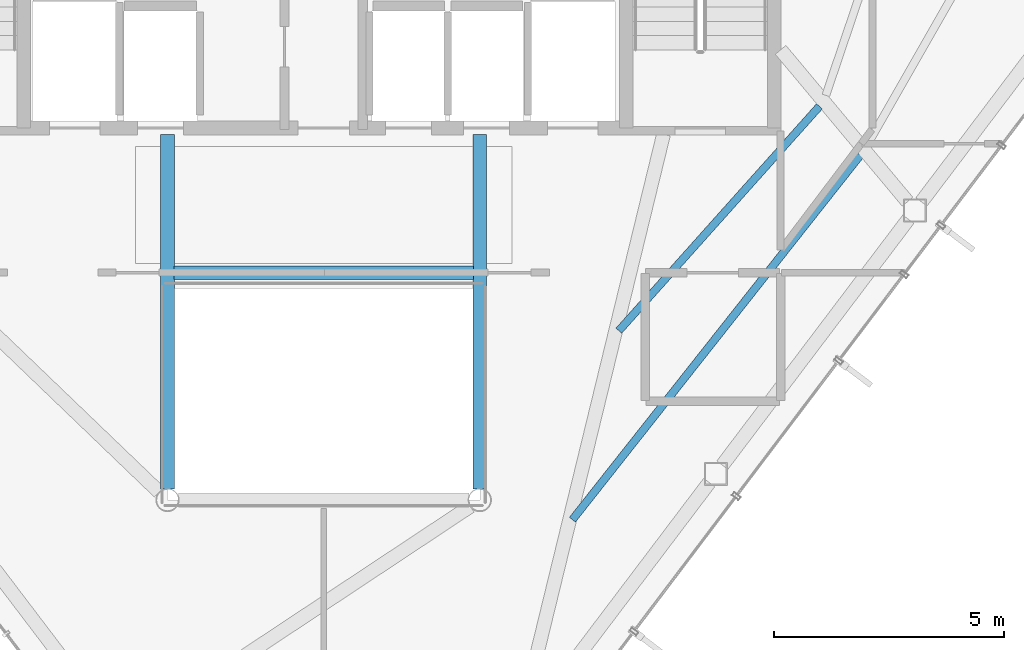
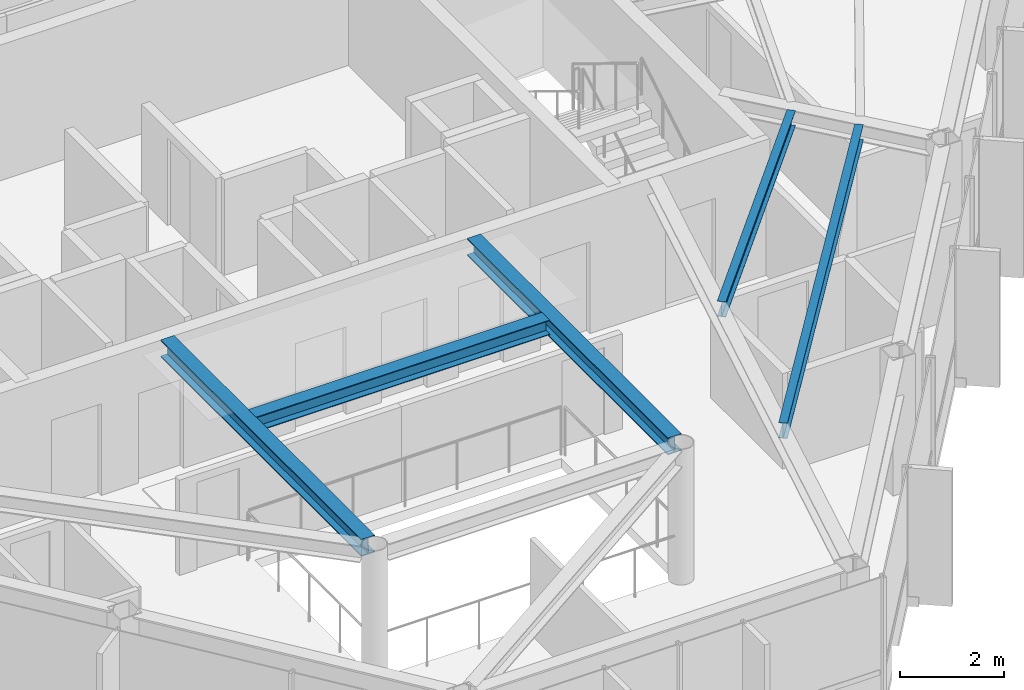
# One storey, part 7 of 24: 5 beams.
"""IFC4 building model written with IfcOpenShell, lengths in metres."""

import ifcopenshell
import ifcopenshell.guid

model = None  # the IFC model being written
_history = None  # IfcOwnerHistory: only IFC2X3 demands one
_inside = {}  # id of a spatial element -> (the spatial element, [elements in it])
_under = {}  # id of a project, library or spatial element -> (it, [spatial elements below it])
_declared = {}  # id of a project -> (the project, [libraries it declares])
_typed = {}  # id of a type object -> (the type object, [elements of that type])
_made_of = {}  # id of a material, layer set ... -> (it, [elements and type objects made of it])


def new_model(schema):
    """Start an empty IFC model of exactly this schema.

    Asked for "IFC4X3", IfcOpenShell would pick the latest addendum, in which some entities
    have other attributes; the version numbers below select the first issue.
    IFC2X3 requires an IfcOwnerHistory on every rooted entity: one is made here for all.
    """
    global model, _history
    if schema == "IFC4X3":
        model = ifcopenshell.file(schema_version=(4, 3, 0, 0))
    else:
        model = ifcopenshell.file(schema=schema)
    _inside.clear()
    _under.clear()
    _declared.clear()
    _typed.clear()
    _made_of.clear()
    _history = None
    if model.schema == "IFC2X3":
        org = make("IfcOrganization", Name="unknown")
        user = make(
            "IfcPersonAndOrganization",
            ThePerson=make("IfcPerson", FamilyName="unknown"),
            TheOrganization=org,
        )
        app = make(
            "IfcApplication",
            ApplicationDeveloper=org,
            Version="unknown",
            ApplicationFullName="unknown",
            ApplicationIdentifier="unknown",
        )
        _history = make(
            "IfcOwnerHistory",
            OwningUser=user,
            OwningApplication=app,
            ChangeAction="ADDED",
            CreationDate=0,
        )
    return model


def make(cls, **values):
    """One entity of the class cls with the attributes given. An attribute that is None is left unset."""
    return model.create_entity(
        cls, **{name: value for name, value in values.items() if value is not None}
    )


def rooted(cls, **values):
    """An entity with a GlobalId (a new one), such as an element, a storey or a relation."""
    return make(cls, GlobalId=ifcopenshell.guid.new(), OwnerHistory=_history, **values)


def si_unit(unit_type, name, prefix=None):
    """IfcSIUnit, for example si_unit("LENGTHUNIT", "METRE", prefix="MILLI")."""
    return make("IfcSIUnit", UnitType=unit_type, Prefix=prefix, Name=name)


def assignment(units):
    """IfcUnitAssignment: the units of a project."""
    return None if units is None else make("IfcUnitAssignment", Units=units)


def point(xyz):
    """IfcCartesianPoint."""
    return None if xyz is None else make("IfcCartesianPoint", Coordinates=xyz)


def direction(xyz):
    """IfcDirection."""
    return None if xyz is None else make("IfcDirection", DirectionRatios=xyz)


def frame(location, z_axis=None, x_axis=None):
    """IfcAxis2Placement3D, a coordinate frame: its origin and axes. An axis left out is left unset."""
    return make(
        "IfcAxis2Placement3D",
        Location=point(location),
        Axis=direction(z_axis),
        RefDirection=direction(x_axis),
    )


def frame_2d(location, x_axis=None):
    """IfcAxis2Placement2D, a coordinate frame in the plane: its origin and x axis."""
    return make(
        "IfcAxis2Placement2D", Location=point(location), RefDirection=direction(x_axis)
    )


def origin():
    """The frame at (0, 0, 0) with its axes left unset."""
    return frame((0.0, 0.0, 0.0))


def origin_2d():
    """The frame at (0, 0) in the plane with its x axis left unset."""
    return frame_2d((0.0, 0.0))


def place(relative_to, where):
    """IfcLocalPlacement: puts the frame where relative to a parent placement (None: the world)."""
    return make(
        "IfcLocalPlacement", PlacementRelTo=relative_to, RelativePlacement=where
    )


def context(
    kind, dimensions, precision=None, world=None, true_north=None, identifier=None
):
    """IfcGeometricRepresentationContext, for example the 3D "Model" context."""
    return make(
        "IfcGeometricRepresentationContext",
        ContextIdentifier=identifier,
        ContextType=kind,
        CoordinateSpaceDimension=dimensions,
        Precision=precision,
        WorldCoordinateSystem=world,
        TrueNorth=true_north,
    )


def subcontext(parent, identifier, kind, view, scale=None):
    """IfcGeometricRepresentationSubContext, for example "Body" below "Model"."""
    return make(
        "IfcGeometricRepresentationSubContext",
        ContextIdentifier=identifier,
        ContextType=kind,
        ParentContext=parent,
        TargetScale=scale,
        TargetView=view,
    )


def project(units=None, contexts=None):
    """IfcProject with its units and contexts."""
    return rooted(
        "IfcProject",
        Name="project",
        RepresentationContexts=contexts,
        UnitsInContext=assignment(units),
    )


def spatial(cls, under=None, at=None, **own):
    """A site, building, storey or space (cls), placed at a placement, below another one or the project."""
    s = rooted(cls, ObjectPlacement=at, **own)
    if under is not None:
        _under.setdefault(under.id(), (under, []))[1].append(s)
    return s


def profile(cls, at=None, kind="AREA", **sizes):
    """A parametric profile (cls). Its sizes go by their IFC names, for example OverallWidth=200.0."""
    return make(cls, ProfileType=kind, Position=at, **sizes)


def i_section(**sizes):
    """IfcIShapeProfileDef."""
    return profile("IfcIShapeProfileDef", **sizes)


def extrude(swept, where, along, depth):
    """IfcExtrudedAreaSolid: the profile swept, set in the frame where, extruded along a direction by depth."""
    return make(
        "IfcExtrudedAreaSolid",
        SweptArea=swept,
        Position=where,
        ExtrudedDirection=direction(along),
        Depth=depth,
    )


def shape(context_of_items, identifier, shape_type, items):
    """IfcShapeRepresentation: the items that make up one representation, for example the "Body"."""
    return make(
        "IfcShapeRepresentation",
        ContextOfItems=context_of_items,
        RepresentationIdentifier=identifier,
        RepresentationType=shape_type,
        Items=items,
    )


def material(Name=None, Category=None):
    """IfcMaterial."""
    return make("IfcMaterial", Name=Name, Category=Category)


def material_profile(
    of_material, cross_section, Name=None, Category=None, Priority=None
):
    """IfcMaterialProfile: a cross section and its material."""
    return make(
        "IfcMaterialProfile",
        Name=Name,
        Material=of_material,
        Profile=cross_section,
        Priority=Priority,
        Category=Category,
    )


def profile_set(profiles, Name=None, composite=None):
    """IfcMaterialProfileSet."""
    return make(
        "IfcMaterialProfileSet",
        Name=Name,
        MaterialProfiles=profiles,
        CompositeProfile=composite,
    )


def made_of(thing, what):
    """Note that an element or type object is made of a material, layer set ...; save() writes the relation."""
    if what is not None:
        _made_of.setdefault(what.id(), (what, []))[1].append(thing)
    return thing


def type_object(cls, material=None, **own):
    """A type object (cls), such as IfcWallType, which elements share."""
    return made_of(rooted(cls, **own), material)


def element(
    cls,
    number,
    at=None,
    inside=None,
    cuts=None,
    type_object=None,
    material=None,
    context=None,
    identifier="Body",
    shape_type=None,
    held_by="IfcProductDefinitionShape",
    body=None,
    shapes=None,
    **own,
):
    """One element of the class cls, such as IfcWall. Its Tag is "e" and its number.

    at: its placement. inside: the storey or other place that contains it. cuts: it is an
    opening in that element (IfcRelVoidsElement). A single representation is given by context,
    identifier, shape_type and body (its items); several are given by shapes. held_by: the class
    of the entity that holds the representations. save() writes the other relations.
    """
    e = rooted(cls, Tag="e%d" % number, ObjectPlacement=at, **own)
    if body is not None:
        shapes = [shape(context, identifier, shape_type, body)]
    if shapes is not None:
        e.Representation = make(held_by, Representations=shapes)
    if inside is not None:
        _inside.setdefault(inside.id(), (inside, []))[1].append(e)
    if cuts is not None:
        rooted(
            "IfcRelVoidsElement", RelatingBuildingElement=cuts, RelatedOpeningElement=e
        )
    if type_object is not None:
        _typed.setdefault(type_object.id(), (type_object, []))[1].append(e)
    return made_of(e, material)


def aggregate(whole, parts):
    """IfcRelAggregates: a whole, such as a stair, and the parts it consists of."""
    return rooted("IfcRelAggregates", RelatingObject=whole, RelatedObjects=parts)


def save(model, path):
    """Write the relations noted so far, then the file.

    IfcRelAggregates (storeys below a building ...), IfcRelContainedInSpatialStructure (elements
    in a storey), IfcRelDefinesByType, IfcRelAssociatesMaterial and IfcRelDeclares: one each for
    every whole, place, type object, material and project.
    """
    for whole, parts in _under.values():
        aggregate(whole, parts)
    for where, things in _inside.values():
        rooted(
            "IfcRelContainedInSpatialStructure",
            RelatedElements=things,
            RelatingStructure=where,
        )
    for kind, things in _typed.values():
        rooted("IfcRelDefinesByType", RelatedObjects=things, RelatingType=kind)
    for what, things in _made_of.values():
        rooted("IfcRelAssociatesMaterial", RelatedObjects=things, RelatingMaterial=what)
    for by, libraries in _declared.values():
        rooted("IfcRelDeclares", RelatingContext=by, RelatedDefinitions=libraries)
    model.write(path)


model = new_model("IFC4")

# Units and contexts
model_context = context("Model", 3, precision=1e-05, world=origin(), true_north=direction((0.0, 1.0)))
body_context = subcontext(model_context, "Body", "Model", "MODEL_VIEW")
ifc_project = project(units=[si_unit("LENGTHUNIT", "METRE"), si_unit("AREAUNIT", "SQUARE_METRE"), si_unit("VOLUMEUNIT", "CUBIC_METRE"), si_unit("PLANEANGLEUNIT", "RADIAN"), si_unit("MASSUNIT", "GRAM", prefix="KILO")], contexts=[model_context])

# Site, building, storey
site_placement = place(None, origin())
site = spatial("IfcSite", under=ifc_project, at=site_placement, CompositionType="ELEMENT")
building_placement = place(site_placement, origin())
building = spatial("IfcBuilding", under=site, at=building_placement, Name="Zarrinselat Tower", CompositionType="ELEMENT")
storey_placement = place(building_placement, frame((0.0, 0.0, 268.60009765625)))
storey = spatial("IfcBuildingStorey", under=building, at=storey_placement, Name="L68", CompositionType="ELEMENT", Elevation=268.60009765625)

# Beams
ifc_material_1 = material(Name="Steel S355J2", Category="steel")
ifc_material_profile_1 = material_profile(ifc_material_1, i_section(OverallWidth=0.300048828125, OverallDepth=0.35009765625, WebThickness=0.010009765625, FlangeThickness=0.017578125, at=origin_2d()), Name="HEA 360")
ifc_profile_set_1 = profile_set([ifc_material_profile_1], Name="Steel S355J2")
beam_type_1 = type_object("IfcBeamType", Name="BM-HEA360", PredefinedType="LINTEL", material=ifc_profile_set_1)
beam_1_placement = place(storey_placement, frame((35.139892578125, 30.14990234375, 3.0048828125), z_axis=(1.0, 0.0, 0.0), x_axis=(0.0, 1.0, 0.0)))
element("IfcBeam", 1, at=beam_1_placement, inside=storey, type_object=beam_type_1, Name="L68 Lift Lobby Ceiling Beam", PredefinedType="LINTEL", context=body_context, shape_type="SweptSolid", body=[
    extrude(i_section(OverallWidth=0.300048828125, OverallDepth=0.35009765625, WebThickness=0.010009765625, FlangeThickness=0.017578125, at=origin_2d()), origin(), (0.0, 0.0, 1.0), 6.52001953125),
])
ifc_material_2 = material(Name="Steel S355J2", Category="steel")
ifc_material_profile_2 = material_profile(ifc_material_2, i_section(OverallWidth=0.300048828125, OverallDepth=0.39990234375, WebThickness=0.013427734375, FlangeThickness=0.02392578125, at=origin_2d()), Name="HEB 400")
ifc_profile_set_2 = profile_set([ifc_material_profile_2], Name="Steel S355J2")
beam_type_2 = type_object("IfcBeamType", Name="BM-HEB400", PredefinedType="BEAM", material=ifc_profile_set_2)
for number, where, z_axis, x_axis, name in (
    (2, (35.0, 25.43994140625, 2.97998046875), (0.0, 1.0, 0.0), (-1.0, 0.0, 0.0), "L68 Atrium Edge Beam W"),
    (3, (41.800048828125, 25.43994140625, 2.97998046875), (0.0, 1.0, 0.0), (-1.0, 0.0, 0.0), "L68 Atrium Edge Beam E"),
):
    element("IfcBeam", number, at=place(storey_placement, frame(where, z_axis=z_axis, x_axis=x_axis)), inside=storey, type_object=beam_type_2, Name=name, PredefinedType="BEAM", context=body_context, shape_type="SweptSolid", body=[
        extrude(i_section(OverallWidth=0.300048828125, OverallDepth=0.39990234375, WebThickness=0.013427734375, FlangeThickness=0.02392578125, at=origin_2d()), origin(), (0.0, 0.0, 1.0), 7.719970703125),
    ])
ifc_material_3 = material(Name="Steel S355J2", Category="steel")
ifc_material_profile_3 = material_profile(ifc_material_3, i_section(OverallWidth=0.169921875, OverallDepth=0.360107421875, WebThickness=0.008056640625, FlangeThickness=0.0126953125, at=origin_2d()), Name="IPE 360")
ifc_profile_set_3 = profile_set([ifc_material_profile_3], Name="Steel S355J2")
beam_type_3 = type_object("IfcBeamType", Name="BM-IPE360", PredefinedType="JOIST", material=ifc_profile_set_3)
beam_2_placement = place(storey_placement, frame((43.81640625, 24.77099609375, 3.0), z_axis=(0.619796873503, 0.784762279672, 0.0), x_axis=(-0.784762279672, 0.619796873503, 0.0)))
element("IfcBeam", 4, at=beam_2_placement, inside=storey, type_object=beam_type_3, Name="L68 Composite Floor Joist 3-1", PredefinedType="JOIST", context=body_context, shape_type="SweptSolid", body=[
    extrude(i_section(OverallWidth=0.169921875, OverallDepth=0.360107421875, WebThickness=0.008056640625, FlangeThickness=0.0126953125, at=origin_2d()), origin(), (0.0, 0.0, 1.0), 10.115478515625),
])
beam_3_placement = place(storey_placement, frame((44.826904296875, 28.885986328125, 3.0), z_axis=(0.666520437834, 0.745486757729, 0.0), x_axis=(-0.745486757729, 0.666520437834, 0.0)))
element("IfcBeam", 5, at=beam_3_placement, inside=storey, type_object=beam_type_3, Name="L68 Composite Floor Joist 3-2", PredefinedType="JOIST", context=body_context, shape_type="SweptSolid", body=[
    extrude(i_section(OverallWidth=0.169921875, OverallDepth=0.360107421875, WebThickness=0.008056640625, FlangeThickness=0.0126953125, at=origin_2d()), origin(), (0.0, 0.0, 1.0), 6.554443359375),
])

save(model, "model.ifc")
